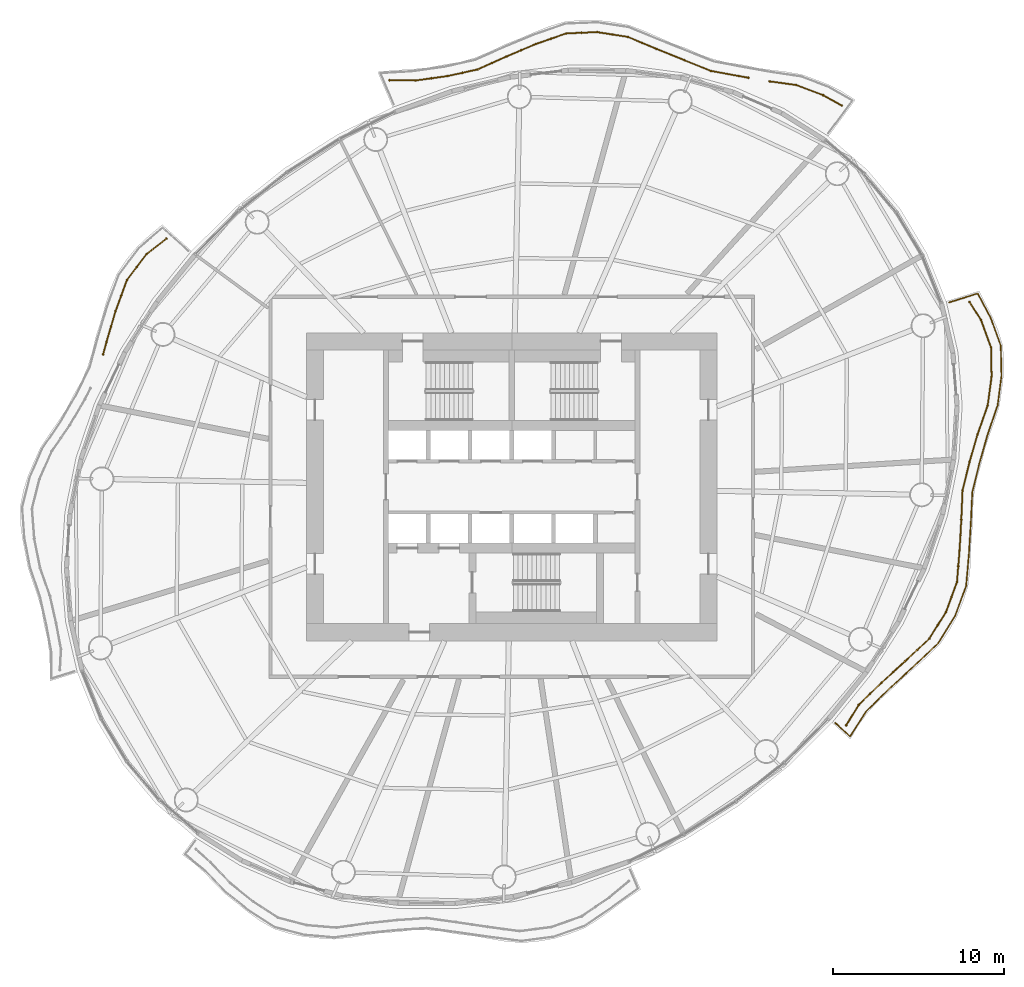
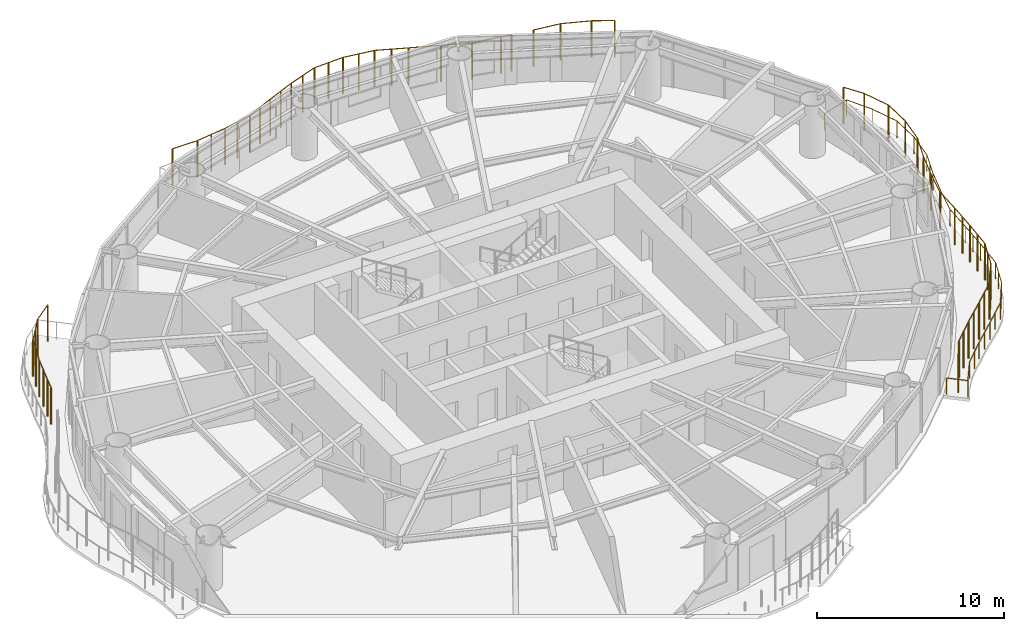
# One storey, part 14 of 15: 5 railings.
"""IFC4 building model written with IfcOpenShell, lengths in metres."""

from ifc_helpers import new_model, si_unit, direction, frame, origin, origin_2d, place, context, subcontext, project, spatial, circle, extrude, material, type_object, element, save


model = new_model("IFC4")

# Units and contexts
model_context = context("Model", 3, precision=1e-05, world=origin(), true_north=direction((0.0, 1.0)))
body_context = subcontext(model_context, "Body", "Model", "MODEL_VIEW")
ifc_project = project(units=[si_unit("LENGTHUNIT", "METRE"), si_unit("AREAUNIT", "SQUARE_METRE"), si_unit("VOLUMEUNIT", "CUBIC_METRE"), si_unit("PLANEANGLEUNIT", "RADIAN"), si_unit("MASSUNIT", "GRAM", prefix="KILO")], contexts=[model_context])

# Site, building, storey
site_placement = place(None, origin())
site = spatial("IfcSite", under=ifc_project, at=site_placement, CompositionType="ELEMENT")
building_placement = place(site_placement, origin())
building = spatial("IfcBuilding", under=site, at=building_placement, Name="Vermilion Reach Broadcast Tower", CompositionType="ELEMENT")
storey_placement = place(building_placement, frame((0.0, 0.0, 175.800048828125)))
storey = spatial("IfcBuildingStorey", under=building, at=storey_placement, Name="L42", CompositionType="ELEMENT", Elevation=175.800048828125)

# Railings
ifc_material_1 = material(Name="Terracotta baguette", Category="masonry")
railing_type_1 = type_object("IfcRailingType", Name="BAGUETTE SCREEN", PredefinedType="USERDEFINED", material=ifc_material_1)
railing_1_placement = place(storey_placement, frame((13.2822265625, 22.291015625, 0.0)))
element("IfcRailing", 1, at=railing_1_placement, inside=storey, type_object=railing_type_1, Name="Baguette screen L42 group 1 part 1", ObjectType="BAGUETTE SCREEN", PredefinedType="USERDEFINED", context=body_context, shape_type="SweptSolid", body=[
    extrude(circle(Radius=0.030029296875, at=origin_2d()), frame((0.0, 0.0, 2.369873046875), z_axis=(-0.874008098852, 0.485911353171, 0.0), x_axis=(-0.485911353171, -0.874008098852, 0.0)), (0.0, 0.0, 1.0), 1.235595703125),
    extrude(circle(Radius=0.030029296875, at=origin_2d()), frame((-1.079833984375, 0.600341796875, 2.369873046875), z_axis=(-0.935377136323, 0.353651824318, 0.0), x_axis=(-0.353651824318, -0.935377136323, 0.0)), (0.0, 0.0, 1.0), 1.681640625),
    extrude(circle(Radius=0.030029296875, at=origin_2d()), frame((-2.65283203125, 1.195068359375, 2.369873046875), z_axis=(-0.990614581104, 0.136684862748, 0.0), x_axis=(-0.136684862748, -0.990614581104, 0.0)), (0.0, 0.0, 1.0), 1.56640625),
    extrude(circle(Radius=0.050048828125, at=origin_2d()), origin(), (0.0, 0.0, 1.0), 2.33984375),
    extrude(circle(Radius=0.050048828125, at=origin_2d()), frame((-1.079833984375, 0.600341796875, 0.0)), (0.0, 0.0, 1.0), 2.33984375),
    extrude(circle(Radius=0.050048828125, at=origin_2d()), frame((-2.65283203125, 1.195068359375, 0.0)), (0.0, 0.0, 1.0), 2.33984375),
    extrude(circle(Radius=0.050048828125, at=origin_2d()), frame((-4.20458984375, 1.4091796875, 0.0)), (0.0, 0.0, 1.0), 2.33984375),
])
railing_2_placement = place(storey_placement, frame((7.836181640625, 23.9111328125, 0.0)))
element("IfcRailing", 2, at=railing_2_placement, inside=storey, type_object=railing_type_1, Name="Baguette screen L42 group 1 part 2", ObjectType="BAGUETTE SCREEN", PredefinedType="USERDEFINED", context=body_context, shape_type="SweptSolid", body=[
    extrude(circle(Radius=0.030029296875, at=origin_2d()), frame((0.0, 0.0, 2.369873046875), z_axis=(-0.984998368395, 0.172563652775, 0.0), x_axis=(-0.172563652775, -0.984998368395, 0.0)), (0.0, 0.0, 1.0), 0.58154296875),
    extrude(circle(Radius=0.030029296875, at=origin_2d()), frame((-0.57275390625, 0.100341796875, 2.369873046875), z_axis=(-0.983238099274, 0.182326191581, 0.0), x_axis=(-0.182326191581, -0.983238099274, 0.0)), (0.0, 0.0, 1.0), 1.660400390625),
    extrude(circle(Radius=0.030029296875, at=origin_2d()), frame((-2.205322265625, 0.403076171875, 2.369873046875), z_axis=(-0.927371826503, 0.374141010061, 0.0), x_axis=(-0.374141010061, -0.927371826503, 0.0)), (0.0, 0.0, 1.0), 1.667236328125),
    extrude(circle(Radius=0.030029296875, at=origin_2d()), frame((-3.75146484375, 1.02685546875, 2.369873046875), z_axis=(-0.926331605665, 0.376709113702, 0.0), x_axis=(-0.376709113702, -0.926331605665, 0.0)), (0.0, 0.0, 1.0), 1.755126953125),
    extrude(circle(Radius=0.030029296875, at=origin_2d()), frame((-5.377197265625, 1.68798828125, 2.369873046875), z_axis=(-0.922412064429, 0.386207176779, 0.0), x_axis=(-0.386207176779, -0.922412064429, 0.0)), (0.0, 0.0, 1.0), 1.818115234375),
    extrude(circle(Radius=0.030029296875, at=origin_2d()), frame((-7.05419921875, 2.39013671875, 2.369873046875), z_axis=(-0.988276813734, 0.152672654513, 0.0), x_axis=(-0.152672654513, -0.988276813734, 0.0)), (0.0, 0.0, 1.0), 1.818115234375),
    extrude(circle(Radius=0.030029296875, at=origin_2d()), frame((-8.85107421875, 2.667724609375, 2.369873046875), z_axis=(-0.999115647304, -0.04204668015, 0.0), x_axis=(0.04204668015, -0.999115647304, 0.0)), (0.0, 0.0, 1.0), 1.805908203125),
    extrude(circle(Radius=0.030029296875, at=origin_2d()), frame((-10.6552734375, 2.591796875, 2.369873046875), z_axis=(-0.943618393675, -0.331035235464, 0.0), x_axis=(0.331035235464, -0.943618393675, 0.0)), (0.0, 0.0, 1.0), 1.889404296875),
    extrude(circle(Radius=0.030029296875, at=origin_2d()), frame((-12.438232421875, 1.96630859375, 2.369873046875), z_axis=(-0.921561141084, -0.388233258808, 0.0), x_axis=(0.388233258808, -0.921561141084, 0.0)), (0.0, 0.0, 1.0), 1.857666015625),
    extrude(circle(Radius=0.030029296875, at=origin_2d()), frame((-14.150146484375, 1.2451171875, 2.369873046875), z_axis=(-0.911867269643, -0.410485179458, 0.0), x_axis=(0.410485179458, -0.911867269643, 0.0)), (0.0, 0.0, 1.0), 1.853271484375),
    extrude(circle(Radius=0.030029296875, at=origin_2d()), frame((-15.840087890625, 0.484375, 2.369873046875), z_axis=(-0.976362109342, -0.216141230312, 0.0), x_axis=(0.216141230312, -0.976362109342, 0.0)), (0.0, 0.0, 1.0), 1.801513671875),
    extrude(circle(Radius=0.030029296875, at=origin_2d()), frame((-17.59912109375, 0.094970703125, 2.369873046875), z_axis=(-0.990796809925, -0.135357605778, 0.0), x_axis=(0.135357605778, -0.990796809925, 0.0)), (0.0, 0.0, 1.0), 1.872314453125),
    extrude(circle(Radius=0.030029296875, at=origin_2d()), frame((-19.4541015625, -0.158447265625, 2.369873046875), z_axis=(-0.999958455284, 0.009115245794, 0.0), x_axis=(-0.009115245794, -0.999958455284, 0.0)), (0.0, 0.0, 1.0), 1.526611328125),
    extrude(circle(Radius=0.050048828125, at=origin_2d()), origin(), (0.0, 0.0, 1.0), 2.33984375),
    extrude(circle(Radius=0.050048828125, at=origin_2d()), frame((-0.57275390625, 0.100341796875, 0.0)), (0.0, 0.0, 1.0), 2.33984375),
    extrude(circle(Radius=0.050048828125, at=origin_2d()), frame((-2.205322265625, 0.403076171875, 0.0)), (0.0, 0.0, 1.0), 2.33984375),
    extrude(circle(Radius=0.050048828125, at=origin_2d()), frame((-3.75146484375, 1.02685546875, 0.0)), (0.0, 0.0, 1.0), 2.33984375),
    extrude(circle(Radius=0.050048828125, at=origin_2d()), frame((-5.377197265625, 1.68798828125, 0.0)), (0.0, 0.0, 1.0), 2.33984375),
    extrude(circle(Radius=0.050048828125, at=origin_2d()), frame((-6.2158203125, 2.0390625, 0.0)), (0.0, 0.0, 1.0), 2.33984375),
    extrude(circle(Radius=0.050048828125, at=origin_2d()), frame((-7.05419921875, 2.39013671875, 0.0)), (0.0, 0.0, 1.0), 2.33984375),
    extrude(circle(Radius=0.050048828125, at=origin_2d()), frame((-7.95263671875, 2.52880859375, 0.0)), (0.0, 0.0, 1.0), 2.33984375),
    extrude(circle(Radius=0.050048828125, at=origin_2d()), frame((-8.85107421875, 2.667724609375, 0.0)), (0.0, 0.0, 1.0), 2.33984375),
    extrude(circle(Radius=0.050048828125, at=origin_2d()), frame((-9.753173828125, 2.6298828125, 0.0)), (0.0, 0.0, 1.0), 2.33984375),
    extrude(circle(Radius=0.050048828125, at=origin_2d()), frame((-10.6552734375, 2.591796875, 0.0)), (0.0, 0.0, 1.0), 2.33984375),
    extrude(circle(Radius=0.050048828125, at=origin_2d()), frame((-11.546875, 2.279052734375, 0.0)), (0.0, 0.0, 1.0), 2.33984375),
    extrude(circle(Radius=0.050048828125, at=origin_2d()), frame((-12.438232421875, 1.96630859375, 0.0)), (0.0, 0.0, 1.0), 2.33984375),
    extrude(circle(Radius=0.050048828125, at=origin_2d()), frame((-13.294189453125, 1.605712890625, 0.0)), (0.0, 0.0, 1.0), 2.33984375),
    extrude(circle(Radius=0.050048828125, at=origin_2d()), frame((-14.150146484375, 1.2451171875, 0.0)), (0.0, 0.0, 1.0), 2.33984375),
    extrude(circle(Radius=0.050048828125, at=origin_2d()), frame((-14.9951171875, 0.86474609375, 0.0)), (0.0, 0.0, 1.0), 2.33984375),
    extrude(circle(Radius=0.050048828125, at=origin_2d()), frame((-15.840087890625, 0.484375, 0.0)), (0.0, 0.0, 1.0), 2.33984375),
    extrude(circle(Radius=0.050048828125, at=origin_2d()), frame((-16.7197265625, 0.28955078125, 0.0)), (0.0, 0.0, 1.0), 2.33984375),
    extrude(circle(Radius=0.050048828125, at=origin_2d()), frame((-17.59912109375, 0.094970703125, 0.0)), (0.0, 0.0, 1.0), 2.33984375),
    extrude(circle(Radius=0.050048828125, at=origin_2d()), frame((-18.526611328125, -0.03173828125, 0.0)), (0.0, 0.0, 1.0), 2.33984375),
    extrude(circle(Radius=0.050048828125, at=origin_2d()), frame((-19.4541015625, -0.158447265625, 0.0)), (0.0, 0.0, 1.0), 2.33984375),
    extrude(circle(Radius=0.050048828125, at=origin_2d()), frame((-20.980712890625, -0.14453125, 0.0)), (0.0, 0.0, 1.0), 2.33984375),
])
railing_3_placement = place(storey_placement, frame((-26.187744140625, 14.507568359375, 0.0)))
element("IfcRailing", 3, at=railing_3_placement, inside=storey, type_object=railing_type_1, Name="Baguette screen L42 group 2 part 1", ObjectType="BAGUETTE SCREEN", PredefinedType="USERDEFINED", context=body_context, shape_type="SweptSolid", body=[
    extrude(circle(Radius=0.030029296875, at=origin_2d()), frame((0.0, 0.0, 2.369873046875), z_axis=(-0.787371809379, -0.616478413081, 0.0), x_axis=(0.616478413081, -0.787371809379, 0.0)), (0.0, 0.0, 1.0), 1.469970703125),
    extrude(circle(Radius=0.030029296875, at=origin_2d()), frame((-1.157470703125, -0.90625, 2.369873046875), z_axis=(-0.603897251556, -0.797062174214, 0.0), x_axis=(0.797062174214, -0.603897251556, 0.0)), (0.0, 0.0, 1.0), 1.90087890625),
    extrude(circle(Radius=0.030029296875, at=origin_2d()), frame((-2.305419921875, -2.42138671875, 2.369873046875), z_axis=(-0.343921399209, -0.938998440449, 0.0), x_axis=(0.938998440449, -0.343921399209, 0.0)), (0.0, 0.0, 1.0), 1.916015625),
    extrude(circle(Radius=0.030029296875, at=origin_2d()), frame((-2.96435546875, -4.220458984375, 2.369873046875), z_axis=(-0.28321955013, -0.959055100828, 0.0), x_axis=(0.959055100828, -0.28321955013, 0.0)), (0.0, 0.0, 1.0), 1.894775390625),
    extrude(circle(Radius=0.030029296875, at=origin_2d()), frame((-3.5009765625, -6.03759765625, 2.369873046875), z_axis=(-0.258616539925, -0.965980064638, 0.0), x_axis=(0.965980064638, -0.258616539925, 0.0)), (0.0, 0.0, 1.0), 0.74853515625),
    extrude(circle(Radius=0.050048828125, at=origin_2d()), origin(), (0.0, 0.0, 1.0), 2.33984375),
    extrude(circle(Radius=0.050048828125, at=origin_2d()), frame((-1.157470703125, -0.90625, 0.0)), (0.0, 0.0, 1.0), 2.33984375),
    extrude(circle(Radius=0.050048828125, at=origin_2d()), frame((-1.7314453125, -1.663818359375, 0.0)), (0.0, 0.0, 1.0), 2.33984375),
    extrude(circle(Radius=0.050048828125, at=origin_2d()), frame((-2.305419921875, -2.42138671875, 0.0)), (0.0, 0.0, 1.0), 2.33984375),
    extrude(circle(Radius=0.050048828125, at=origin_2d()), frame((-2.634765625, -3.32080078125, 0.0)), (0.0, 0.0, 1.0), 2.33984375),
    extrude(circle(Radius=0.050048828125, at=origin_2d()), frame((-2.96435546875, -4.220458984375, 0.0)), (0.0, 0.0, 1.0), 2.33984375),
    extrude(circle(Radius=0.050048828125, at=origin_2d()), frame((-3.232666015625, -5.12890625, 0.0)), (0.0, 0.0, 1.0), 2.33984375),
    extrude(circle(Radius=0.050048828125, at=origin_2d()), frame((-3.5009765625, -6.03759765625, 0.0)), (0.0, 0.0, 1.0), 2.33984375),
    extrude(circle(Radius=0.050048828125, at=origin_2d()), frame((-3.694580078125, -6.7607421875, 0.0)), (0.0, 0.0, 1.0), 2.33984375),
])
railing_4_placement = place(storey_placement, frame((13.550048828125, -13.931640625, 0.0)))
element("IfcRailing", 4, at=railing_4_placement, inside=storey, type_object=railing_type_1, Name="Baguette screen L42 group 4", ObjectType="BAGUETTE SCREEN", PredefinedType="USERDEFINED", context=body_context, shape_type="SweptSolid", body=[
    extrude(circle(Radius=0.030029296875, at=origin_2d()), frame((0.0, 0.0, 2.369873046875), z_axis=(0.520700621534, 0.853739341213, 0.0), x_axis=(-0.853739341213, 0.520700621534, 0.0)), (0.0, 0.0, 1.0), 1.397216796875),
    extrude(circle(Radius=0.030029296875, at=origin_2d()), frame((0.7275390625, 1.19287109375, 2.369873046875), z_axis=(0.718674373353, 0.695346780453, 0.0), x_axis=(-0.695346780453, 0.718674373353, 0.0)), (0.0, 0.0, 1.0), 1.8525390625),
    extrude(circle(Radius=0.030029296875, at=origin_2d()), frame((2.058837890625, 2.48095703125, 2.369873046875), z_axis=(0.7392035361, 0.67348209495, 0.0), x_axis=(-0.67348209495, 0.7392035361, 0.0)), (0.0, 0.0, 1.0), 1.8759765625),
    extrude(circle(Radius=0.030029296875, at=origin_2d()), frame((3.445556640625, 3.744384765625, 2.369873046875), z_axis=(0.731156200494, 0.682210092625, 0.0), x_axis=(-0.682210092625, 0.731156200494, 0.0)), (0.0, 0.0, 1.0), 1.930419921875),
    extrude(circle(Radius=0.030029296875, at=origin_2d()), frame((4.85693359375, 5.061279296875, 2.369873046875), z_axis=(0.529118112062, 0.848548185719, 0.0), x_axis=(-0.848548185719, 0.529118112062, 0.0)), (0.0, 0.0, 1.0), 1.84423828125),
    extrude(circle(Radius=0.030029296875, at=origin_2d()), frame((5.832763671875, 6.626220703125, 2.369873046875), z_axis=(0.345166608301, 0.938541428235, 0.0), x_axis=(-0.938541428235, 0.345166608301, 0.0)), (0.0, 0.0, 1.0), 1.84814453125),
    extrude(circle(Radius=0.030029296875, at=origin_2d()), frame((6.470703125, 8.36083984375, 2.369873046875), z_axis=(0.081345998447, 0.996685922714, 0.0), x_axis=(-0.996685922714, 0.081345998447, 0.0)), (0.0, 0.0, 1.0), 1.854736328125),
    extrude(circle(Radius=0.030029296875, at=origin_2d()), frame((6.62158203125, 10.20947265625, 2.369873046875), z_axis=(0.056642671396, 0.998394515098, 0.0), x_axis=(-0.998394515098, 0.056642671396, 0.0)), (0.0, 0.0, 1.0), 1.810302734375),
    extrude(circle(Radius=0.030029296875, at=origin_2d()), frame((6.72412109375, 12.016845703125, 2.369873046875), z_axis=(0.043375709746, 0.999058831002, 0.0), x_axis=(-0.999058831002, 0.043375709746, 0.0)), (0.0, 0.0, 1.0), 1.722412109375),
    extrude(circle(Radius=0.030029296875, at=origin_2d()), frame((6.798828125, 13.737548828125, 2.369873046875), z_axis=(0.241110281488, 0.970497723934, 0.0), x_axis=(-0.970497723934, 0.241110281488, 0.0)), (0.0, 0.0, 1.0), 1.693115234375),
    extrude(circle(Radius=0.030029296875, at=origin_2d()), frame((7.20703125, 15.380615234375, 2.369873046875), z_axis=(0.276554573416, 0.960998214318, 0.0), x_axis=(-0.960998214318, 0.276554573416, 0.0)), (0.0, 0.0, 1.0), 1.68798828125),
    extrude(circle(Radius=0.030029296875, at=origin_2d()), frame((7.673828125, 17.002685546875, 2.369873046875), z_axis=(0.332331611111, 0.943162605417, 0.0), x_axis=(-0.943162605417, 0.332331611111, 0.0)), (0.0, 0.0, 1.0), 1.77783203125),
    extrude(circle(Radius=0.030029296875, at=origin_2d()), frame((8.2646484375, 18.679443359375, 2.369873046875), z_axis=(0.135125939592, 0.990828431389, 0.0), x_axis=(-0.990828431389, 0.135125939592, 0.0)), (0.0, 0.0, 1.0), 1.7109375),
    extrude(circle(Radius=0.030029296875, at=origin_2d()), frame((8.495849609375, 20.374755859375, 2.369873046875), z_axis=(-0.020790263984, 0.999783859103, 0.0), x_axis=(-0.999783859103, -0.020790263984, 0.0)), (0.0, 0.0, 1.0), 1.714599609375),
    extrude(circle(Radius=0.030029296875, at=origin_2d()), frame((8.460205078125, 22.0888671875, 2.369873046875), z_axis=(-0.344267367811, 0.938871652283, 0.0), x_axis=(-0.938871652283, -0.344267367811, 0.0)), (0.0, 0.0, 1.0), 1.692138671875),
    extrude(circle(Radius=0.030029296875, at=origin_2d()), frame((7.877685546875, 23.677490234375, 2.369873046875), z_axis=(-0.534636049702, 0.845082418678, 0.0), x_axis=(-0.845082418678, -0.534636049702, 0.0)), (0.0, 0.0, 1.0), 1.256591796875),
    extrude(circle(Radius=0.050048828125, at=origin_2d()), origin(), (0.0, 0.0, 1.0), 2.33984375),
    extrude(circle(Radius=0.050048828125, at=origin_2d()), frame((0.7275390625, 1.19287109375, 0.0)), (0.0, 0.0, 1.0), 2.33984375),
    extrude(circle(Radius=0.050048828125, at=origin_2d()), frame((1.39306640625, 1.8369140625, 0.0)), (0.0, 0.0, 1.0), 2.33984375),
    extrude(circle(Radius=0.050048828125, at=origin_2d()), frame((2.058837890625, 2.48095703125, 0.0)), (0.0, 0.0, 1.0), 2.33984375),
    extrude(circle(Radius=0.050048828125, at=origin_2d()), frame((2.752197265625, 3.11279296875, 0.0)), (0.0, 0.0, 1.0), 2.33984375),
    extrude(circle(Radius=0.050048828125, at=origin_2d()), frame((3.445556640625, 3.744384765625, 0.0)), (0.0, 0.0, 1.0), 2.33984375),
    extrude(circle(Radius=0.050048828125, at=origin_2d()), frame((4.1513671875, 4.40283203125, 0.0)), (0.0, 0.0, 1.0), 2.33984375),
    extrude(circle(Radius=0.050048828125, at=origin_2d()), frame((4.85693359375, 5.061279296875, 0.0)), (0.0, 0.0, 1.0), 2.33984375),
    extrude(circle(Radius=0.050048828125, at=origin_2d()), frame((5.3447265625, 5.84375, 0.0)), (0.0, 0.0, 1.0), 2.33984375),
    extrude(circle(Radius=0.050048828125, at=origin_2d()), frame((5.832763671875, 6.626220703125, 0.0)), (0.0, 0.0, 1.0), 2.33984375),
    extrude(circle(Radius=0.050048828125, at=origin_2d()), frame((6.15185546875, 7.49365234375, 0.0)), (0.0, 0.0, 1.0), 2.33984375),
    extrude(circle(Radius=0.050048828125, at=origin_2d()), frame((6.470703125, 8.36083984375, 0.0)), (0.0, 0.0, 1.0), 2.33984375),
    extrude(circle(Radius=0.050048828125, at=origin_2d()), frame((6.546142578125, 9.28515625, 0.0)), (0.0, 0.0, 1.0), 2.33984375),
    extrude(circle(Radius=0.050048828125, at=origin_2d()), frame((6.62158203125, 10.20947265625, 0.0)), (0.0, 0.0, 1.0), 2.33984375),
    extrude(circle(Radius=0.050048828125, at=origin_2d()), frame((6.6728515625, 11.11328125, 0.0)), (0.0, 0.0, 1.0), 2.33984375),
    extrude(circle(Radius=0.050048828125, at=origin_2d()), frame((6.72412109375, 12.016845703125, 0.0)), (0.0, 0.0, 1.0), 2.33984375),
    extrude(circle(Radius=0.050048828125, at=origin_2d()), frame((6.798828125, 13.737548828125, 0.0)), (0.0, 0.0, 1.0), 2.33984375),
    extrude(circle(Radius=0.050048828125, at=origin_2d()), frame((7.20703125, 15.380615234375, 0.0)), (0.0, 0.0, 1.0), 2.33984375),
    extrude(circle(Radius=0.050048828125, at=origin_2d()), frame((7.673828125, 17.002685546875, 0.0)), (0.0, 0.0, 1.0), 2.33984375),
    extrude(circle(Radius=0.050048828125, at=origin_2d()), frame((8.2646484375, 18.679443359375, 0.0)), (0.0, 0.0, 1.0), 2.33984375),
    extrude(circle(Radius=0.050048828125, at=origin_2d()), frame((8.495849609375, 20.374755859375, 0.0)), (0.0, 0.0, 1.0), 2.33984375),
    extrude(circle(Radius=0.050048828125, at=origin_2d()), frame((8.460205078125, 22.0888671875, 0.0)), (0.0, 0.0, 1.0), 2.33984375),
    extrude(circle(Radius=0.050048828125, at=origin_2d()), frame((7.877685546875, 23.677490234375, 0.0)), (0.0, 0.0, 1.0), 2.33984375),
    extrude(circle(Radius=0.050048828125, at=origin_2d()), frame((7.205810546875, 24.739501953125, 0.0)), (0.0, 0.0, 1.0), 2.33984375),
])
ifc_material_2 = material(Name="Stainless steel 316 balustrade", Category="steel")
railing_type_2 = type_object("IfcRailingType", Name="Balcony guard 1100", PredefinedType="BALUSTRADE", material=ifc_material_2)
railing_5_placement = place(storey_placement, frame((12.908203125, -13.796142578125, 0.0)))
element("IfcRailing", 5, at=railing_5_placement, inside=storey, type_object=railing_type_2, Name="Balcony guard L42 group 4", PredefinedType="BALUSTRADE", context=body_context, shape_type="SweptSolid", body=[
    extrude(circle(Radius=0.02490234375, at=origin_2d()), frame((0.0, 0.0, 1.0751953125), z_axis=(0.742220281422, -0.670155992173, 0.0), x_axis=(0.670155992173, 0.742220281422, 0.0)), (0.0, 0.0, 1.0), 1.16552734375),
    extrude(circle(Radius=0.02490234375, at=origin_2d()), frame((0.864990234375, -0.781005859375, 1.0751953125), z_axis=(0.544006010346, 0.839081319484, 0.0), x_axis=(-0.839081319484, 0.544006010346, 0.0)), (0.0, 0.0, 1.0), 1.756591796875),
    extrude(circle(Radius=0.02490234375, at=origin_2d()), frame((1.820556640625, 0.69287109375, 1.0751953125), z_axis=(0.716818661201, 0.697259640991, 0.0), x_axis=(-0.697259640991, 0.716818661201, 0.0)), (0.0, 0.0, 1.0), 1.884765625),
    extrude(circle(Radius=0.02490234375, at=origin_2d()), frame((3.171630859375, 2.007080078125, 1.0751953125), z_axis=(0.736542900584, 0.676390830511, 0.0), x_axis=(-0.676390830511, 0.736542900584, 0.0)), (0.0, 0.0, 1.0), 1.90771484375),
    extrude(circle(Radius=0.02490234375, at=origin_2d()), frame((4.57666015625, 3.29736328125, 1.0751953125), z_axis=(0.727871328284, 0.685713737256, 0.0), x_axis=(-0.685713737256, 0.727871328284, 0.0)), (0.0, 0.0, 1.0), 1.963134765625),
    extrude(circle(Radius=0.02490234375, at=origin_2d()), frame((6.005615234375, 4.6435546875, 1.0751953125), z_axis=(0.527929052632, 0.849288475953, 0.0), x_axis=(-0.849288475953, 0.527929052632, 0.0)), (0.0, 0.0, 1.0), 1.8779296875),
    extrude(circle(Radius=0.02490234375, at=origin_2d()), frame((6.9970703125, 6.238525390625, 1.0751953125), z_axis=(0.346245959999, 0.938143771063, 0.0), x_axis=(-0.938143771063, 0.346245959999, 0.0)), (0.0, 0.0, 1.0), 1.88330078125),
    extrude(circle(Radius=0.02490234375, at=origin_2d()), frame((7.649169921875, 8.00537109375, 1.0751953125), z_axis=(0.086456738922, 0.996255605904, 0.0), x_axis=(-0.996255605904, 0.086456738922, 0.0)), (0.0, 0.0, 1.0), 1.88916015625),
    extrude(circle(Radius=0.02490234375, at=origin_2d()), frame((7.8125, 9.887451171875, 1.0751953125), z_axis=(0.061349316397, 0.998116356633, 0.0), x_axis=(-0.998116356633, 0.061349316397, 0.0)), (0.0, 0.0, 1.0), 1.846435546875),
    extrude(circle(Radius=0.02490234375, at=origin_2d()), frame((7.92578125, 11.73046875, 1.0751953125), z_axis=(0.04747281897, 0.998872530135, 0.0), x_axis=(-0.998872530135, 0.04747281897, 0.0)), (0.0, 0.0, 1.0), 1.7587890625),
    extrude(circle(Radius=0.02490234375, at=origin_2d()), frame((8.00927734375, 13.4873046875, 1.0751953125), z_axis=(0.23935027848, 0.970933285139, 0.0), x_axis=(-0.970933285139, 0.23935027848, 0.0)), (0.0, 0.0, 1.0), 1.73193359375),
    extrude(circle(Radius=0.02490234375, at=origin_2d()), frame((8.423828125, 15.1689453125, 1.0751953125), z_axis=(0.272628751724, 0.962119308471, 0.0), x_axis=(-0.962119308471, 0.272628751724, 0.0)), (0.0, 0.0, 1.0), 1.7265625),
    extrude(circle(Radius=0.02490234375, at=origin_2d()), frame((8.89453125, 16.830078125, 1.0751953125), z_axis=(0.325804354176, 0.945437212511, 0.0), x_axis=(-0.945437212511, 0.325804354176, 0.0)), (0.0, 0.0, 1.0), 1.817138671875),
    extrude(circle(Radius=0.02490234375, at=origin_2d()), frame((9.486572265625, 18.548095703125, 1.0751953125), z_axis=(0.131013323646, 0.99138060755, 0.0), x_axis=(-0.99138060755, 0.131013323646, 0.0)), (0.0, 0.0, 1.0), 1.751708984375),
    extrude(circle(Radius=0.02490234375, at=origin_2d()), frame((9.716064453125, 20.28466796875, 1.0751953125), z_axis=(-0.023062235852, 0.999734031269, 0.0), x_axis=(-0.999734031269, -0.023062235852, 0.0)), (0.0, 0.0, 1.0), 1.75732421875),
    extrude(circle(Radius=0.02490234375, at=origin_2d()), frame((9.675537109375, 22.04150390625, 1.0751953125), z_axis=(-0.340567645445, 0.940220016207, 0.0), x_axis=(-0.940220016207, -0.340567645445, 0.0)), (0.0, 0.0, 1.0), 1.73486328125),
    extrude(circle(Radius=0.02490234375, at=origin_2d()), frame((9.084716796875, 23.672607421875, 1.0751953125), z_axis=(-0.469199419277, 0.883092240341, 0.0), x_axis=(-0.883092240341, -0.469199419277, 0.0)), (0.0, 0.0, 1.0), 1.61572265625),
    extrude(circle(Radius=0.02490234375, at=origin_2d()), frame((8.32666015625, 25.099365234375, 1.0751953125), z_axis=(-0.953970968141, -0.299898969561, 0.0), x_axis=(0.299898969561, -0.953970968141, 0.0)), (0.0, 0.0, 1.0), 1.75439453125),
    extrude(circle(Radius=0.02490234375, at=origin_2d()), origin(), (0.0, 0.0, 1.0), 1.050048828125),
    extrude(circle(Radius=0.02490234375, at=origin_2d()), frame((0.864990234375, -0.781005859375, 0.0)), (0.0, 0.0, 1.0), 1.050048828125),
    extrude(circle(Radius=0.02490234375, at=origin_2d()), frame((1.820556640625, 0.69287109375, 0.0)), (0.0, 0.0, 1.0), 1.050048828125),
    extrude(circle(Radius=0.02490234375, at=origin_2d()), frame((2.49609375, 1.35009765625, 0.0)), (0.0, 0.0, 1.0), 1.050048828125),
    extrude(circle(Radius=0.02490234375, at=origin_2d()), frame((3.171630859375, 2.007080078125, 0.0)), (0.0, 0.0, 1.0), 1.050048828125),
    extrude(circle(Radius=0.02490234375, at=origin_2d()), frame((3.8740234375, 2.65234375, 0.0)), (0.0, 0.0, 1.0), 1.050048828125),
    extrude(circle(Radius=0.02490234375, at=origin_2d()), frame((4.57666015625, 3.29736328125, 0.0)), (0.0, 0.0, 1.0), 1.050048828125),
    extrude(circle(Radius=0.02490234375, at=origin_2d()), frame((5.291015625, 3.970458984375, 0.0)), (0.0, 0.0, 1.0), 1.050048828125),
    extrude(circle(Radius=0.02490234375, at=origin_2d()), frame((6.005615234375, 4.6435546875, 0.0)), (0.0, 0.0, 1.0), 1.050048828125),
    extrude(circle(Radius=0.02490234375, at=origin_2d()), frame((6.50146484375, 5.44091796875, 0.0)), (0.0, 0.0, 1.0), 1.050048828125),
    extrude(circle(Radius=0.02490234375, at=origin_2d()), frame((6.9970703125, 6.238525390625, 0.0)), (0.0, 0.0, 1.0), 1.050048828125),
    extrude(circle(Radius=0.02490234375, at=origin_2d()), frame((7.3232421875, 7.1220703125, 0.0)), (0.0, 0.0, 1.0), 1.050048828125),
    extrude(circle(Radius=0.02490234375, at=origin_2d()), frame((7.649169921875, 8.00537109375, 0.0)), (0.0, 0.0, 1.0), 1.050048828125),
    extrude(circle(Radius=0.02490234375, at=origin_2d()), frame((7.73095703125, 8.9462890625, 0.0)), (0.0, 0.0, 1.0), 1.050048828125),
    extrude(circle(Radius=0.02490234375, at=origin_2d()), frame((7.8125, 9.887451171875, 0.0)), (0.0, 0.0, 1.0), 1.050048828125),
    extrude(circle(Radius=0.02490234375, at=origin_2d()), frame((7.869140625, 10.80908203125, 0.0)), (0.0, 0.0, 1.0), 1.050048828125),
    extrude(circle(Radius=0.02490234375, at=origin_2d()), frame((7.92578125, 11.73046875, 0.0)), (0.0, 0.0, 1.0), 1.050048828125),
    extrude(circle(Radius=0.02490234375, at=origin_2d()), frame((8.00927734375, 13.4873046875, 0.0)), (0.0, 0.0, 1.0), 1.050048828125),
    extrude(circle(Radius=0.02490234375, at=origin_2d()), frame((8.423828125, 15.1689453125, 0.0)), (0.0, 0.0, 1.0), 1.050048828125),
    extrude(circle(Radius=0.02490234375, at=origin_2d()), frame((8.89453125, 16.830078125, 0.0)), (0.0, 0.0, 1.0), 1.050048828125),
    extrude(circle(Radius=0.02490234375, at=origin_2d()), frame((9.1904296875, 17.68896484375, 0.0)), (0.0, 0.0, 1.0), 1.050048828125),
    extrude(circle(Radius=0.02490234375, at=origin_2d()), frame((9.486572265625, 18.548095703125, 0.0)), (0.0, 0.0, 1.0), 1.050048828125),
    extrude(circle(Radius=0.02490234375, at=origin_2d()), frame((9.716064453125, 20.28466796875, 0.0)), (0.0, 0.0, 1.0), 1.050048828125),
    extrude(circle(Radius=0.02490234375, at=origin_2d()), frame((9.675537109375, 22.04150390625, 0.0)), (0.0, 0.0, 1.0), 1.050048828125),
    extrude(circle(Radius=0.02490234375, at=origin_2d()), frame((9.084716796875, 23.672607421875, 0.0)), (0.0, 0.0, 1.0), 1.050048828125),
    extrude(circle(Radius=0.02490234375, at=origin_2d()), frame((8.32666015625, 25.099365234375, 0.0)), (0.0, 0.0, 1.0), 1.050048828125),
    extrude(circle(Radius=0.02490234375, at=origin_2d()), frame((6.653076171875, 24.5732421875, 0.0)), (0.0, 0.0, 1.0), 1.050048828125),
])

save(model, "model.ifc")
